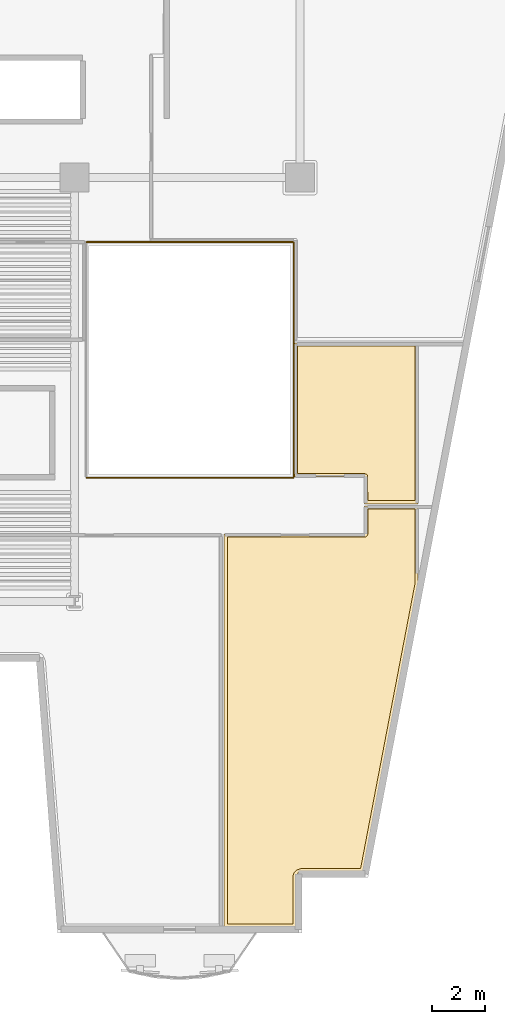
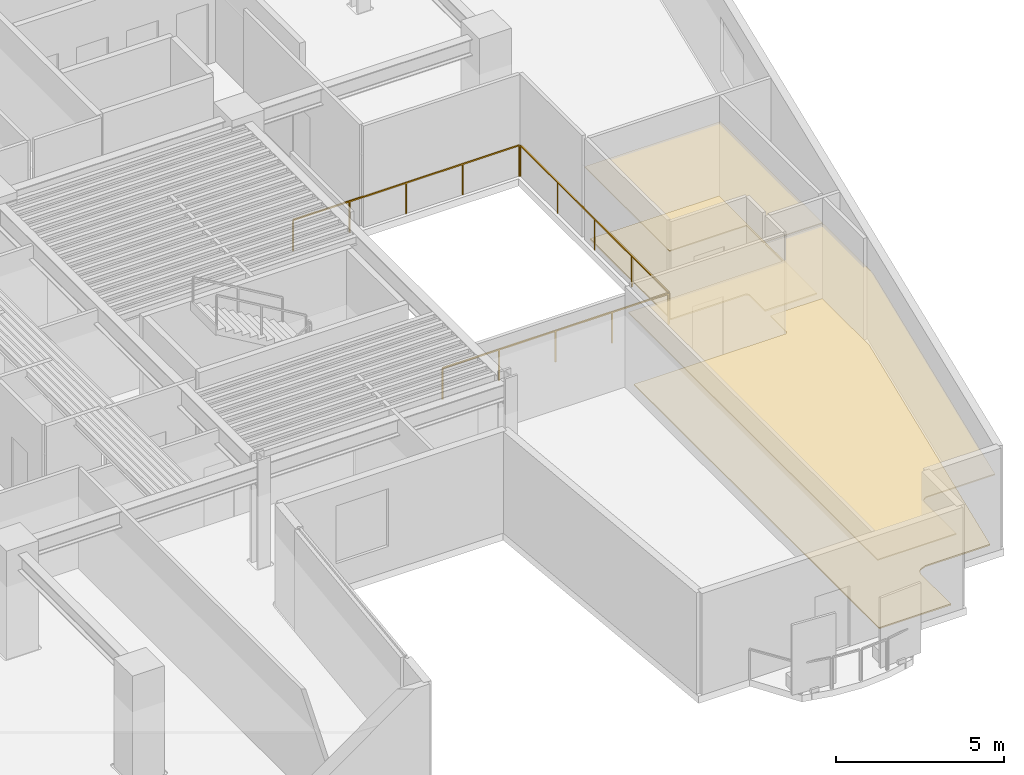
# One storey, part 11 of 13: 4 coverings, 3 railings.
"""IFC4 building model written with IfcOpenShell, lengths in metres."""

import ifcopenshell
import ifcopenshell.guid

model = None  # the IFC model being written
_history = None  # IfcOwnerHistory: only IFC2X3 demands one
_inside = {}  # id of a spatial element -> (the spatial element, [elements in it])
_under = {}  # id of a project, library or spatial element -> (it, [spatial elements below it])
_declared = {}  # id of a project -> (the project, [libraries it declares])
_typed = {}  # id of a type object -> (the type object, [elements of that type])
_made_of = {}  # id of a material, layer set ... -> (it, [elements and type objects made of it])


def new_model(schema):
    """Start an empty IFC model of exactly this schema.

    Asked for "IFC4X3", IfcOpenShell would pick the latest addendum, in which some entities
    have other attributes; the version numbers below select the first issue.
    IFC2X3 requires an IfcOwnerHistory on every rooted entity: one is made here for all.
    """
    global model, _history
    if schema == "IFC4X3":
        model = ifcopenshell.file(schema_version=(4, 3, 0, 0))
    else:
        model = ifcopenshell.file(schema=schema)
    _inside.clear()
    _under.clear()
    _declared.clear()
    _typed.clear()
    _made_of.clear()
    _history = None
    if model.schema == "IFC2X3":
        org = make("IfcOrganization", Name="unknown")
        user = make(
            "IfcPersonAndOrganization",
            ThePerson=make("IfcPerson", FamilyName="unknown"),
            TheOrganization=org,
        )
        app = make(
            "IfcApplication",
            ApplicationDeveloper=org,
            Version="unknown",
            ApplicationFullName="unknown",
            ApplicationIdentifier="unknown",
        )
        _history = make(
            "IfcOwnerHistory",
            OwningUser=user,
            OwningApplication=app,
            ChangeAction="ADDED",
            CreationDate=0,
        )
    return model


def make(cls, **values):
    """One entity of the class cls with the attributes given. An attribute that is None is left unset."""
    return model.create_entity(
        cls, **{name: value for name, value in values.items() if value is not None}
    )


def rooted(cls, **values):
    """An entity with a GlobalId (a new one), such as an element, a storey or a relation."""
    return make(cls, GlobalId=ifcopenshell.guid.new(), OwnerHistory=_history, **values)


def si_unit(unit_type, name, prefix=None):
    """IfcSIUnit, for example si_unit("LENGTHUNIT", "METRE", prefix="MILLI")."""
    return make("IfcSIUnit", UnitType=unit_type, Prefix=prefix, Name=name)


def assignment(units):
    """IfcUnitAssignment: the units of a project."""
    return None if units is None else make("IfcUnitAssignment", Units=units)


def point(xyz):
    """IfcCartesianPoint."""
    return None if xyz is None else make("IfcCartesianPoint", Coordinates=xyz)


def direction(xyz):
    """IfcDirection."""
    return None if xyz is None else make("IfcDirection", DirectionRatios=xyz)


def frame(location, z_axis=None, x_axis=None):
    """IfcAxis2Placement3D, a coordinate frame: its origin and axes. An axis left out is left unset."""
    return make(
        "IfcAxis2Placement3D",
        Location=point(location),
        Axis=direction(z_axis),
        RefDirection=direction(x_axis),
    )


def frame_2d(location, x_axis=None):
    """IfcAxis2Placement2D, a coordinate frame in the plane: its origin and x axis."""
    return make(
        "IfcAxis2Placement2D", Location=point(location), RefDirection=direction(x_axis)
    )


def origin():
    """The frame at (0, 0, 0) with its axes left unset."""
    return frame((0.0, 0.0, 0.0))


def origin_2d():
    """The frame at (0, 0) in the plane with its x axis left unset."""
    return frame_2d((0.0, 0.0))


def place(relative_to, where):
    """IfcLocalPlacement: puts the frame where relative to a parent placement (None: the world)."""
    return make(
        "IfcLocalPlacement", PlacementRelTo=relative_to, RelativePlacement=where
    )


def context(
    kind, dimensions, precision=None, world=None, true_north=None, identifier=None
):
    """IfcGeometricRepresentationContext, for example the 3D "Model" context."""
    return make(
        "IfcGeometricRepresentationContext",
        ContextIdentifier=identifier,
        ContextType=kind,
        CoordinateSpaceDimension=dimensions,
        Precision=precision,
        WorldCoordinateSystem=world,
        TrueNorth=true_north,
    )


def subcontext(parent, identifier, kind, view, scale=None):
    """IfcGeometricRepresentationSubContext, for example "Body" below "Model"."""
    return make(
        "IfcGeometricRepresentationSubContext",
        ContextIdentifier=identifier,
        ContextType=kind,
        ParentContext=parent,
        TargetScale=scale,
        TargetView=view,
    )


def project(units=None, contexts=None):
    """IfcProject with its units and contexts."""
    return rooted(
        "IfcProject",
        Name="project",
        RepresentationContexts=contexts,
        UnitsInContext=assignment(units),
    )


def spatial(cls, under=None, at=None, **own):
    """A site, building, storey or space (cls), placed at a placement, below another one or the project."""
    s = rooted(cls, ObjectPlacement=at, **own)
    if under is not None:
        _under.setdefault(under.id(), (under, []))[1].append(s)
    return s


def polyline(points):
    """IfcPolyline through the points."""
    return make("IfcPolyline", Points=[point(p) for p in points])


def profile(cls, at=None, kind="AREA", **sizes):
    """A parametric profile (cls). Its sizes go by their IFC names, for example OverallWidth=200.0."""
    return make(cls, ProfileType=kind, Position=at, **sizes)


def rectangle(**sizes):
    """IfcRectangleProfileDef."""
    return profile("IfcRectangleProfileDef", **sizes)


def outline(outer, holes=None, kind="AREA"):
    """IfcArbitraryClosedProfileDef: a profile drawn as a closed curve; with holes, ...WithVoids."""
    if holes is None:
        return make("IfcArbitraryClosedProfileDef", ProfileType=kind, OuterCurve=outer)
    return make(
        "IfcArbitraryProfileDefWithVoids",
        ProfileType=kind,
        OuterCurve=outer,
        InnerCurves=holes,
    )


def extrude(swept, where, along, depth):
    """IfcExtrudedAreaSolid: the profile swept, set in the frame where, extruded along a direction by depth."""
    return make(
        "IfcExtrudedAreaSolid",
        SweptArea=swept,
        Position=where,
        ExtrudedDirection=direction(along),
        Depth=depth,
    )


def shape(context_of_items, identifier, shape_type, items):
    """IfcShapeRepresentation: the items that make up one representation, for example the "Body"."""
    return make(
        "IfcShapeRepresentation",
        ContextOfItems=context_of_items,
        RepresentationIdentifier=identifier,
        RepresentationType=shape_type,
        Items=items,
    )


def material(Name=None, Category=None):
    """IfcMaterial."""
    return make("IfcMaterial", Name=Name, Category=Category)


def layer(
    of_material, thickness, ventilated=None, Name=None, Category=None, Priority=None
):
    """IfcMaterialLayer: one layer of a wall or slab, of a material (None: an air gap)."""
    return make(
        "IfcMaterialLayer",
        Material=of_material,
        LayerThickness=thickness,
        IsVentilated=ventilated,
        Name=Name,
        Category=Category,
        Priority=Priority,
    )


def layer_set(layers, Name=None):
    """IfcMaterialLayerSet."""
    return make("IfcMaterialLayerSet", MaterialLayers=layers, LayerSetName=Name)


def made_of(thing, what):
    """Note that an element or type object is made of a material, layer set ...; save() writes the relation."""
    if what is not None:
        _made_of.setdefault(what.id(), (what, []))[1].append(thing)
    return thing


def type_object(cls, material=None, **own):
    """A type object (cls), such as IfcWallType, which elements share."""
    return made_of(rooted(cls, **own), material)


def element(
    cls,
    number,
    at=None,
    inside=None,
    cuts=None,
    type_object=None,
    material=None,
    context=None,
    identifier="Body",
    shape_type=None,
    held_by="IfcProductDefinitionShape",
    body=None,
    shapes=None,
    **own,
):
    """One element of the class cls, such as IfcWall. Its Tag is "e" and its number.

    at: its placement. inside: the storey or other place that contains it. cuts: it is an
    opening in that element (IfcRelVoidsElement). A single representation is given by context,
    identifier, shape_type and body (its items); several are given by shapes. held_by: the class
    of the entity that holds the representations. save() writes the other relations.
    """
    e = rooted(cls, Tag="e%d" % number, ObjectPlacement=at, **own)
    if body is not None:
        shapes = [shape(context, identifier, shape_type, body)]
    if shapes is not None:
        e.Representation = make(held_by, Representations=shapes)
    if inside is not None:
        _inside.setdefault(inside.id(), (inside, []))[1].append(e)
    if cuts is not None:
        rooted(
            "IfcRelVoidsElement", RelatingBuildingElement=cuts, RelatedOpeningElement=e
        )
    if type_object is not None:
        _typed.setdefault(type_object.id(), (type_object, []))[1].append(e)
    return made_of(e, material)


def aggregate(whole, parts):
    """IfcRelAggregates: a whole, such as a stair, and the parts it consists of."""
    return rooted("IfcRelAggregates", RelatingObject=whole, RelatedObjects=parts)


def save(model, path):
    """Write the relations noted so far, then the file.

    IfcRelAggregates (storeys below a building ...), IfcRelContainedInSpatialStructure (elements
    in a storey), IfcRelDefinesByType, IfcRelAssociatesMaterial and IfcRelDeclares: one each for
    every whole, place, type object, material and project.
    """
    for whole, parts in _under.values():
        aggregate(whole, parts)
    for where, things in _inside.values():
        rooted(
            "IfcRelContainedInSpatialStructure",
            RelatedElements=things,
            RelatingStructure=where,
        )
    for kind, things in _typed.values():
        rooted("IfcRelDefinesByType", RelatedObjects=things, RelatingType=kind)
    for what, things in _made_of.values():
        rooted("IfcRelAssociatesMaterial", RelatedObjects=things, RelatingMaterial=what)
    for by, libraries in _declared.values():
        rooted("IfcRelDeclares", RelatingContext=by, RelatedDefinitions=libraries)
    model.write(path)


model = new_model("IFC4")

# Units and contexts
model_context = context("Model", 3, precision=1e-05, world=origin(), true_north=direction((0.0, 1.0)))
body_context = subcontext(model_context, "Body", "Model", "MODEL_VIEW")
ifc_project = project(units=[si_unit("LENGTHUNIT", "METRE"), si_unit("AREAUNIT", "SQUARE_METRE"), si_unit("VOLUMEUNIT", "CUBIC_METRE"), si_unit("PLANEANGLEUNIT", "RADIAN"), si_unit("MASSUNIT", "GRAM", prefix="KILO")], contexts=[model_context])

# Site, building, storey
site_placement = place(None, origin())
site = spatial("IfcSite", under=ifc_project, at=site_placement, CompositionType="ELEMENT")
building_placement = place(site_placement, origin())
building = spatial("IfcBuilding", under=site, at=building_placement, Name="Caeloran Harvest Quay", CompositionType="ELEMENT")
storey_placement = place(building_placement, frame((0.0, 0.0, 158.800048828125)))
storey = spatial("IfcBuildingStorey", under=building, at=storey_placement, Name="L37", CompositionType="ELEMENT", Elevation=158.800048828125)

# Coverings
ifc_material_1 = material(Name="Perforated Mineral-Fibre Acoustic Ceiling Tile", Category="ceiling")
ifc_layer_1 = layer(ifc_material_1, 0.0400390625, Name="Perforated Mineral-Fibre Acoustic Ceiling Tile")
ifc_layer_set_1 = layer_set([ifc_layer_1], Name="Perforated Mineral-Fibre Acoustic Ceiling Tile")
covering_type_1 = type_object("IfcCoveringType", Name="COV-CEILING-ACOUSTIC", PredefinedType="CEILING", material=ifc_layer_set_1)
covering_1_placement = place(storey_placement, frame((0.0, 0.0, 2.599853515625)))
element("IfcCovering", 1, at=covering_1_placement, inside=storey, type_object=covering_type_1, Name="Commodities Briefing Boardroom Acoustic Ceiling", PredefinedType="CEILING", context=body_context, shape_type="SweptSolid", body=[
    extrude(outline(polyline([(44.93994140625, 17.56005859375), (44.93994140625, 18.610107421875), (46.9599609375, 18.610107421875), (46.9599609375, 15.6640625), (44.888916015625, 4.820068359375), (42.571044921875, 4.820068359375), (42.506103515625, 4.810546875), (42.430419921875, 4.77001953125), (42.36669921875, 4.68408203125), (42.35009765625, 4.59912109375), (42.35009765625, 2.719970703125), (39.639892578125, 2.719970703125), (39.639892578125, 17.56005859375), (44.93994140625, 17.56005859375)])), origin(), (0.0, 0.0, 1.0), 0.0400390625),
])
covering_2_placement = place(storey_placement, frame((0.0, 0.0, 2.599853515625)))
element("IfcCovering", 2, at=covering_2_placement, inside=storey, type_object=covering_type_1, Name="Satellite Archive Library Lounge Acoustic Ceiling", PredefinedType="CEILING", context=body_context, shape_type="SweptSolid", body=[
    extrude(outline(polyline([(44.93994140625, 19.7099609375), (42.2900390625, 19.7099609375), (42.2900390625, 24.760009765625), (46.9599609375, 24.760009765625), (46.9599609375, 18.68994140625), (44.93994140625, 18.68994140625), (44.93994140625, 19.7099609375)])), origin(), (0.0, 0.0, 1.0), 0.0400390625),
])
ifc_material_2 = material(Name="Calcium-Sulphate Raised Access Floor and Terrazzo Finish", Category="flooring")
ifc_layer_2 = layer(ifc_material_2, 0.050048828125, Name="Calcium-Sulphate Raised Access Floor and Terrazzo Finish")
ifc_layer_set_2 = layer_set([ifc_layer_2], Name="Calcium-Sulphate Raised Access Floor and Terrazzo Finish")
covering_type_2 = type_object("IfcCoveringType", Name="COV-FLOOR-RAISED", PredefinedType="FLOORING", material=ifc_layer_set_2)
covering_3_placement = place(storey_placement, origin())
element("IfcCovering", 3, at=covering_3_placement, inside=storey, type_object=covering_type_2, Name="Commodities Briefing Boardroom Raised Finish Flooring", PredefinedType="FLOORING", context=body_context, shape_type="SweptSolid", body=[
    extrude(outline(polyline([(44.97802734375, 17.443603515625), (45.037353515625, 17.4833984375), (45.059814453125, 17.543212890625), (45.06005859375, 18.489990234375), (46.840087890625, 18.489990234375), (46.840087890625, 15.67529296875), (44.789794921875, 4.93994140625), (42.566162109375, 4.93994140625), (42.357421875, 4.865234375), (42.268310546875, 4.7568359375), (42.231201171875, 4.62939453125), (42.22998046875, 2.840087890625), (39.760009765625, 2.840087890625), (39.760009765625, 17.43994140625), (44.97802734375, 17.443603515625)])), origin(), (0.0, 0.0, 1.0), 0.050048828125),
])
covering_4_placement = place(storey_placement, origin())
element("IfcCovering", 4, at=covering_4_placement, inside=storey, type_object=covering_type_2, Name="Satellite Archive Library Lounge Raised Finish Flooring", PredefinedType="FLOORING", context=body_context, shape_type="SweptSolid", body=[
    extrude(outline(polyline([(45.056396484375, 19.748046875), (45.0166015625, 19.807373046875), (44.953857421875, 19.829833984375), (42.409912109375, 19.830078125), (42.409912109375, 24.639892578125), (46.840087890625, 24.639892578125), (46.840087890625, 18.81005859375), (45.06005859375, 18.81005859375), (45.056396484375, 19.748046875)])), origin(), (0.0, 0.0, 1.0), 0.050048828125),
])

# Railings
ifc_material_3 = material(Name="Powder-Coated Steel Post and Laminated Glass Guardrail", Category="steel")
ifc_layer_3 = layer(ifc_material_3, 0.06005859375, Name="Powder-Coated Steel Post and Laminated Glass Guardrail")
ifc_layer_set_3 = layer_set([ifc_layer_3], Name="Powder-Coated Steel Post and Laminated Glass Guardrail")
railing_type = type_object("IfcRailingType", Name="GUARD-ATRIUM-1150", PredefinedType="GUARDRAIL", material=ifc_layer_set_3)
railing_1_placement = place(storey_placement, frame((34.4619140625, 19.679931640625, 0.0)))
element("IfcRailing", 5, at=railing_1_placement, inside=storey, type_object=railing_type, Name="L37 East Botanical Lightwell Guardrail Seg 1", PredefinedType="GUARDRAIL", context=body_context, shape_type="SweptSolid", body=[
    extrude(rectangle(XDim=0.048095703125, YDim=0.048095703125, at=origin_2d()), frame((0.0, 0.0, 1.1259765625), z_axis=(1.0, 0.0, 0.0), x_axis=(0.0, 1.0, 0.0)), (0.0, 0.0, 1.0), 7.776123046875),
    extrude(rectangle(XDim=0.0419921875, YDim=0.0419921875, at=origin_2d()), origin(), (0.0, 0.0, 1.0), 1.101806640625),
    extrude(rectangle(XDim=0.0419921875, YDim=0.0419921875, at=origin_2d()), frame((1.944091796875, 0.0, 0.0)), (0.0, 0.0, 1.0), 1.101806640625),
    extrude(rectangle(XDim=0.0419921875, YDim=0.0419921875, at=origin_2d()), frame((3.88818359375, 0.0, 0.0)), (0.0, 0.0, 1.0), 1.101806640625),
    extrude(rectangle(XDim=0.0419921875, YDim=0.0419921875, at=origin_2d()), frame((5.83203125, 0.0, 0.0)), (0.0, 0.0, 1.0), 1.101806640625),
    extrude(rectangle(XDim=0.0419921875, YDim=0.0419921875, at=origin_2d()), frame((7.776123046875, 0.0, 0.0)), (0.0, 0.0, 1.0), 1.101806640625),
])
railing_2_placement = place(storey_placement, frame((42.27001953125, 19.7119140625, 0.0)))
element("IfcRailing", 6, at=railing_2_placement, inside=storey, type_object=railing_type, Name="L37 East Botanical Lightwell Guardrail Seg 2", PredefinedType="GUARDRAIL", context=body_context, shape_type="SweptSolid", body=[
    extrude(rectangle(XDim=0.048095703125, YDim=0.048095703125, at=origin_2d()), frame((0.0, 0.0, 1.1259765625), z_axis=(0.0, 1.0, 0.0), x_axis=(-1.0, 0.0, 0.0)), (0.0, 0.0, 1.0), 8.826171875),
    extrude(rectangle(XDim=0.0419921875, YDim=0.0419921875, at=origin_2d()), origin(), (0.0, 0.0, 1.0), 1.101806640625),
    extrude(rectangle(XDim=0.0419921875, YDim=0.0419921875, at=origin_2d()), frame((0.0, 2.20654296875, 0.0)), (0.0, 0.0, 1.0), 1.101806640625),
    extrude(rectangle(XDim=0.0419921875, YDim=0.0419921875, at=origin_2d()), frame((0.0, 4.4130859375, 0.0)), (0.0, 0.0, 1.0), 1.101806640625),
    extrude(rectangle(XDim=0.0419921875, YDim=0.0419921875, at=origin_2d()), frame((0.0, 6.61962890625, 0.0)), (0.0, 0.0, 1.0), 1.101806640625),
    extrude(rectangle(XDim=0.0419921875, YDim=0.0419921875, at=origin_2d()), frame((0.0, 8.826171875, 0.0)), (0.0, 0.0, 1.0), 1.101806640625),
])
railing_3_placement = place(storey_placement, frame((42.238037109375, 28.570068359375, 0.0)))
element("IfcRailing", 7, at=railing_3_placement, inside=storey, type_object=railing_type, Name="L37 East Botanical Lightwell Guardrail Seg 3", PredefinedType="GUARDRAIL", context=body_context, shape_type="SweptSolid", body=[
    extrude(rectangle(XDim=0.048095703125, YDim=0.048095703125, at=origin_2d()), frame((0.0, 0.0, 1.1259765625), z_axis=(-1.0, 0.0, 0.0), x_axis=(0.0, -1.0, 0.0)), (0.0, 0.0, 1.0), 7.776123046875),
    extrude(rectangle(XDim=0.0419921875, YDim=0.0419921875, at=origin_2d()), origin(), (0.0, 0.0, 1.0), 1.101806640625),
    extrude(rectangle(XDim=0.0419921875, YDim=0.0419921875, at=origin_2d()), frame((-1.944091796875, 0.0, 0.0)), (0.0, 0.0, 1.0), 1.101806640625),
    extrude(rectangle(XDim=0.0419921875, YDim=0.0419921875, at=origin_2d()), frame((-3.88818359375, 0.0, 0.0)), (0.0, 0.0, 1.0), 1.101806640625),
    extrude(rectangle(XDim=0.0419921875, YDim=0.0419921875, at=origin_2d()), frame((-5.83203125, 0.0, 0.0)), (0.0, 0.0, 1.0), 1.101806640625),
    extrude(rectangle(XDim=0.0419921875, YDim=0.0419921875, at=origin_2d()), frame((-7.776123046875, 0.0, 0.0)), (0.0, 0.0, 1.0), 1.101806640625),
])

save(model, "model.ifc")
